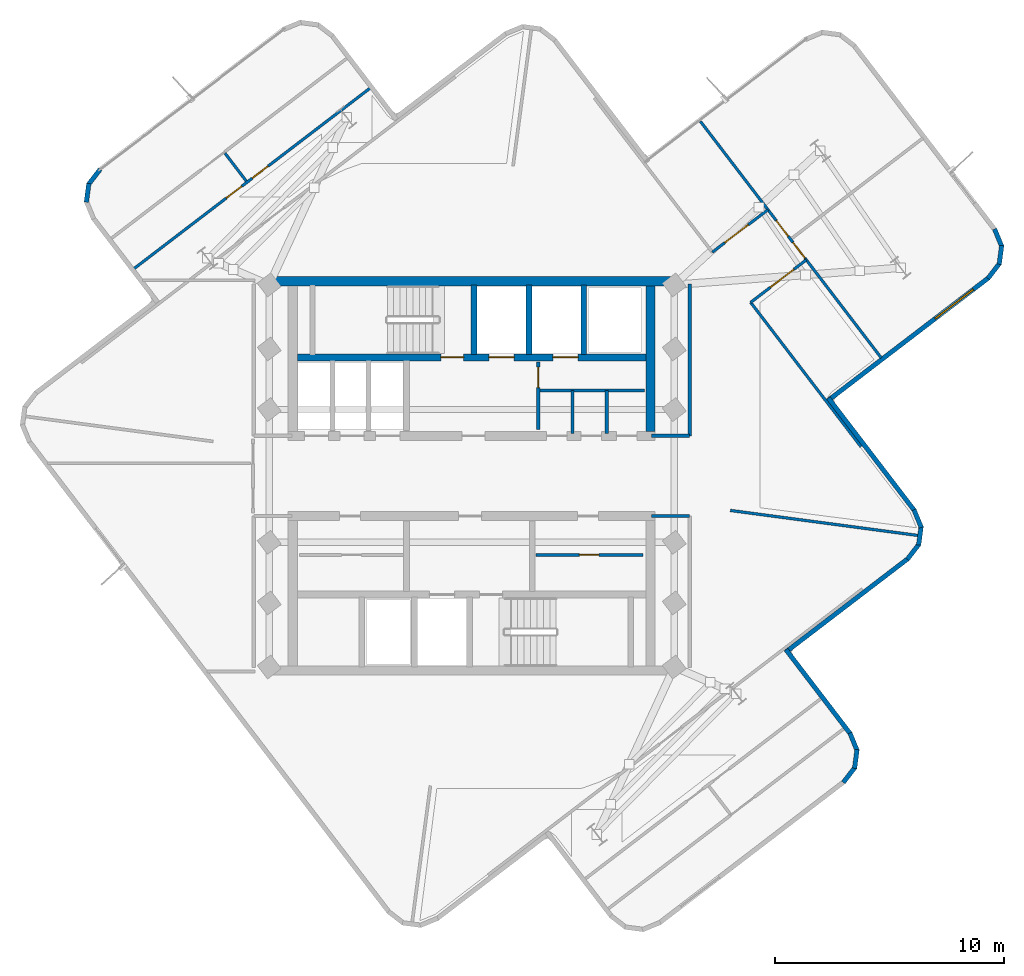
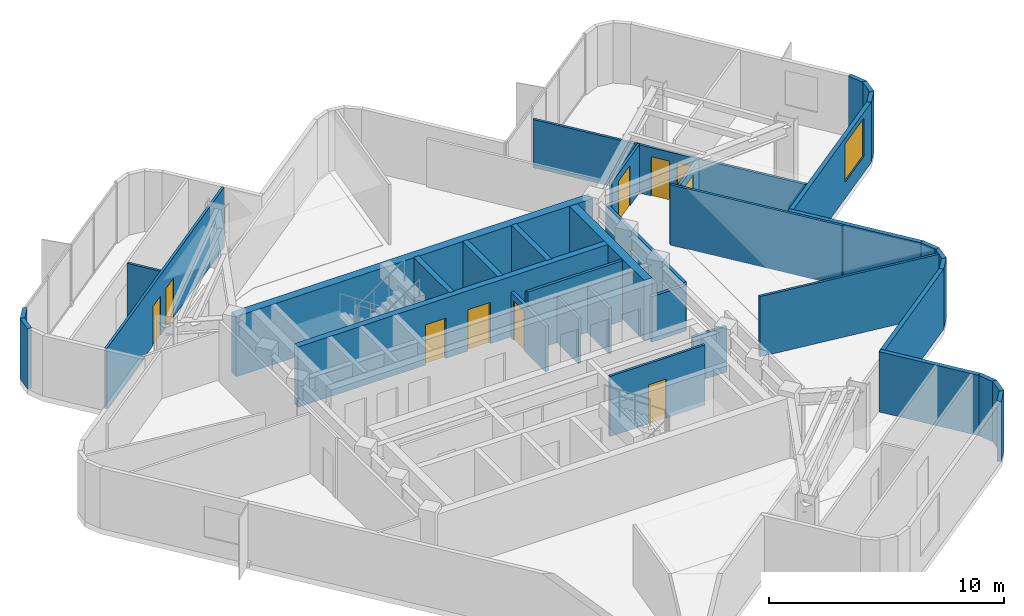
# One storey, part 5 of 8: 36 walls, 11 doors, 1 window, 12 openings.
"""IFC4 building model written with IfcOpenShell, lengths in metres."""

from ifc_helpers import new_model, si_unit, direction, frame, frame_2d, origin, place, context, subcontext, project, spatial, rectangle, extrude, material, layer, layer_set, type_object, element, fill, save


model = new_model("IFC4")

# Units and contexts
model_context = context("Model", 3, precision=1e-05, world=origin(), true_north=direction((0.0, 1.0)))
body_context = subcontext(model_context, "Body", "Model", "MODEL_VIEW")
ifc_project = project(units=[si_unit("LENGTHUNIT", "METRE"), si_unit("AREAUNIT", "SQUARE_METRE"), si_unit("VOLUMEUNIT", "CUBIC_METRE"), si_unit("PLANEANGLEUNIT", "RADIAN"), si_unit("MASSUNIT", "GRAM", prefix="KILO")], contexts=[model_context])

# Site, building, storey
site_placement = place(None, origin())
site = spatial("IfcSite", under=ifc_project, at=site_placement, CompositionType="ELEMENT")
building_placement = place(site_placement, origin())
building = spatial("IfcBuilding", under=site, at=building_placement, Name="Solmarez Civic Tower", CompositionType="ELEMENT")
storey_placement = place(building_placement, frame((0.0, 0.0, 232.56005859375)))
storey = spatial("IfcBuildingStorey", under=building, at=storey_placement, Name="L62", CompositionType="ELEMENT", Elevation=232.56005859375)

# Walls
ifc_material_1 = material(Name="Concrete C50/60", Category="concrete")
ifc_layer_1 = layer(ifc_material_1, 0.39990234375)
ifc_layer_set_1 = layer_set([ifc_layer_1], Name="Concrete C50/60")
wall_type_1 = type_object("IfcWallType", Name="WALL-CORE-400", PredefinedType="SHEAR", material=ifc_layer_set_1)
wall_1_placement = place(storey_placement, frame((-8.780029296875, 8.510009765625, 0.0), z_axis=(0.0, 0.0, 1.0), x_axis=(1.0, 0.0, 0.0)))
element("IfcWall", 1, at=wall_1_placement, inside=storey, type_object=wall_type_1, Name="L62 Split-Core Structural Wall NCW-N-L62", PredefinedType="SHEAR", context=body_context, shape_type="SweptSolid", body=[
    extrude(rectangle(XDim=17.56005859375, YDim=0.39990234375, at=frame_2d((8.780029296875, 0.0))), origin(), (0.0, 0.0, 1.0), 3.139892578125),
])
wall_2_placement = place(storey_placement, frame((7.820068359375, 8.31005859375, 0.0), z_axis=(0.0, 0.0, 1.0), x_axis=(0.0, -1.0, 0.0)))
element("IfcWall", 2, at=wall_2_placement, inside=storey, type_object=wall_type_1, Name="L62 Split-Core Structural Wall NCW-E-L62", PredefinedType="SHEAR", context=body_context, shape_type="SweptSolid", body=[
    extrude(rectangle(XDim=6.360107421875, YDim=0.39990234375, at=frame_2d((3.18017578125, 0.0))), origin(), (0.0, 0.0, 1.0), 3.139892578125),
])
ifc_material_2 = material(Name="Precast concrete C40/50", Category="concrete")
ifc_layer_2 = layer(ifc_material_2, 0.199951171875)
ifc_layer_set_2 = layer_set([ifc_layer_2], Name="Precast concrete C40/50")
wall_type_2 = type_object("IfcWallType", Name="WALL-EXT-200", PredefinedType="SOLIDWALL", material=ifc_layer_set_2)
wall_3_placement = place(storey_placement, frame((-16.840087890625, 11.9609375, 0.0), z_axis=(0.0, 0.0, 1.0), x_axis=(0.131059066172, 0.991374561492, 0.0)))
element("IfcWall", 3, at=wall_3_placement, inside=storey, type_object=wall_type_2, Name="L62 Exterior Precast Wall 15", PredefinedType="SOLIDWALL", context=body_context, shape_type="SweptSolid", body=[
    extrude(rectangle(XDim=0.8251953125, YDim=0.199951171875, at=frame_2d((0.41259765625, 0.0))), origin(), (0.0, 0.0, 1.0), 3.139892578125),
])
for number, where, z_axis, x_axis, name in (
    (4, (-16.75, 12.73388671875, 0.0), (0.0, 0.0, 1.0), (0.609837482774, 0.792526494575, 0.0), "L62 Exterior Precast Wall 16"),
    (5, (22.846923828125, 10.79296875, 0.0), (0.0, 0.0, 1.0), (0.383166624649, -0.923679239647, 0.0), "L62 Exterior Precast Wall 36"),
):
    element("IfcWall", number, at=place(storey_placement, frame(where, z_axis=z_axis, x_axis=x_axis)), inside=storey, type_object=wall_type_2, Name=name, PredefinedType="SOLIDWALL", context=body_context, shape_type="SweptSolid", body=[
        extrude(rectangle(XDim=0.837890625, YDim=0.199951171875, at=frame_2d((0.4189453125, 0.0))), origin(), (0.0, 0.0, 1.0), 3.139892578125),
    ])
wall_4_placement = place(storey_placement, frame((23.160888671875, 10.06689453125, 0.0), z_axis=(0.0, 0.0, 1.0), x_axis=(-0.131969898809, -0.991253724234, 0.0)))
element("IfcWall", 6, at=wall_4_placement, inside=storey, type_object=wall_type_2, Name="L62 Exterior Precast Wall 37", PredefinedType="SOLIDWALL", context=body_context, shape_type="SweptSolid", body=[
    extrude(rectangle(XDim=0.8251953125, YDim=0.199951171875, at=frame_2d((0.41259765625, 0.0))), origin(), (0.0, 0.0, 1.0), 3.139892578125),
])
wall_5_placement = place(storey_placement, frame((23.070068359375, 9.2939453125, 0.0), z_axis=(0.0, 0.0, 1.0), x_axis=(-0.609274558022, -0.792959338773, 0.0)))
element("IfcWall", 7, at=wall_5_placement, inside=storey, type_object=wall_type_2, Name="L62 Exterior Precast Wall 38", PredefinedType="SOLIDWALL", context=body_context, shape_type="SweptSolid", body=[
    extrude(rectangle(XDim=0.838623046875, YDim=0.199951171875, at=frame_2d((0.41943359375, 0.0))), origin(), (0.0, 0.0, 1.0), 3.139892578125),
])

# Wall, opening, window
wall_6_placement = place(storey_placement, frame((22.593994140625, 8.6640625, 0.0), z_axis=(0.0, 0.0, 1.0), x_axis=(-0.794406416539, -0.607386569954, 0.0)))
wall_6 = element("IfcWall", 8, at=wall_6_placement, inside=storey, type_object=wall_type_2, Name="L62 Exterior Precast Wall 39", PredefinedType="SOLIDWALL", context=body_context, shape_type="SweptSolid", body=[
    extrude(rectangle(XDim=8.843017578125, YDim=0.199951171875, at=frame_2d((4.42138671875, 0.0))), origin(), (0.0, 0.0, 1.0), 3.139892578125),
])
opening_1_placement = place(wall_6_placement, frame((0.85009765625, 0.0, 0.85009765625)))
opening_1 = element("IfcOpeningElement", 9, at=opening_1_placement, cuts=wall_6, Name="Opening W-03", PredefinedType="OPENING", context=body_context, shape_type="SweptSolid", body=[
    extrude(rectangle(XDim=2.10009765625, YDim=2.0, at=frame_2d((1.050048828125, 1.0))), frame((0.0, 0.10986328125, 0.0), z_axis=(0.0, -1.0, 0.0), x_axis=(1.0, 0.0, 0.0)), (0.0, 0.0, 1.0), 0.219970703125),
])
ifc_material_3 = material(Name="Solar Control Bronze-Tinted Insulating Glass", Category="glass")
window_type = type_object("IfcWindowType", Name="WIN-2100X2000", PartitioningType="SINGLE_PANEL", PredefinedType="WINDOW", material=ifc_material_3)
window_placement = place(opening_1_placement, origin())
window = element("IfcWindow", 10, at=window_placement, inside=storey, type_object=window_type, Name="L62 Exterior Facade Window 39", OverallHeight=2.0, OverallWidth=2.10009765625, PartitioningType="SINGLE_PANEL", PredefinedType="WINDOW", context=body_context, shape_type="SweptSolid", body=[
    extrude(rectangle(XDim=2.10009765625, YDim=2.0, at=frame_2d((1.050048828125, 1.0))), frame((0.0, 0.030029296875, 0.0), z_axis=(0.0, -1.0, 0.0), x_axis=(1.0, 0.0, 0.0)), (0.0, 0.0, 1.0), 0.06005859375),
])
fill(opening_1, window)

# Walls
wall_7_placement = place(storey_placement, frame((15.583984375, 3.406005859375, 0.0), z_axis=(0.0, 0.0, 1.0), x_axis=(0.60748663121, -0.794329901805, 0.0)))
element("IfcWall", 11, at=wall_7_placement, inside=storey, type_object=wall_type_2, Name="L62 Exterior Precast Wall 42", PredefinedType="SOLIDWALL", context=body_context, shape_type="SweptSolid", body=[
    extrude(rectangle(XDim=6.20263671875, YDim=0.199951171875, at=frame_2d((3.101318359375, 0.0))), origin(), (0.0, 0.0, 1.0), 3.139892578125),
])
wall_8_placement = place(storey_placement, frame((19.326904296875, -1.47802734375, 0.0), z_axis=(0.0, 0.0, 1.0), x_axis=(0.382171551451, -0.924091394431, 0.0)))
element("IfcWall", 12, at=wall_8_placement, inside=storey, type_object=wall_type_2, Name="L62 Exterior Precast Wall 43", PredefinedType="SOLIDWALL", context=body_context, shape_type="SweptSolid", body=[
    extrude(rectangle(XDim=0.83740234375, YDim=0.199951171875, at=frame_2d((0.418701171875, 0.0))), origin(), (0.0, 0.0, 1.0), 3.139892578125),
])
wall_9_placement = place(storey_placement, frame((19.639892578125, -2.2041015625, 0.0), z_axis=(0.0, 0.0, 1.0), x_axis=(-0.130806653943, -0.99140789753, 0.0)))
element("IfcWall", 13, at=wall_9_placement, inside=storey, type_object=wall_type_2, Name="L62 Exterior Precast Wall 44", PredefinedType="SOLIDWALL", context=body_context, shape_type="SweptSolid", body=[
    extrude(rectangle(XDim=0.824951171875, YDim=0.199951171875, at=frame_2d((0.41259765625, 0.0))), origin(), (0.0, 0.0, 1.0), 3.139892578125),
])
wall_10_placement = place(storey_placement, frame((19.550048828125, -2.97705078125, 0.0), z_axis=(0.0, 0.0, 1.0), x_axis=(-0.609274558022, -0.792959338773, 0.0)))
element("IfcWall", 14, at=wall_10_placement, inside=storey, type_object=wall_type_2, Name="L62 Exterior Precast Wall 45", PredefinedType="SOLIDWALL", context=body_context, shape_type="SweptSolid", body=[
    extrude(rectangle(XDim=0.838623046875, YDim=0.199951171875, at=frame_2d((0.41943359375, 0.0))), origin(), (0.0, 0.0, 1.0), 3.139892578125),
])
wall_11_placement = place(storey_placement, frame((19.073974609375, -3.60693359375, 0.0), z_axis=(0.0, 0.0, 1.0), x_axis=(-0.794465731546, -0.607308983466, 0.0)))
element("IfcWall", 15, at=wall_11_placement, inside=storey, type_object=wall_type_2, Name="L62 Exterior Precast Wall 46", PredefinedType="SOLIDWALL", context=body_context, shape_type="SweptSolid", body=[
    extrude(rectangle(XDim=6.742919921875, YDim=0.199951171875, at=frame_2d((3.37158203125, 0.0))), origin(), (0.0, 0.0, 1.0), 3.139892578125),
])
wall_12_placement = place(storey_placement, frame((13.73193359375, -7.589111328125, 0.0), z_axis=(0.0, 0.0, 1.0), x_axis=(0.607428636372, -0.794374251669, 0.0)))
element("IfcWall", 16, at=wall_12_placement, inside=storey, type_object=wall_type_2, Name="L62 Exterior Precast Wall 49", PredefinedType="SOLIDWALL", context=body_context, shape_type="SweptSolid", body=[
    extrude(rectangle(XDim=4.642578125, YDim=0.199951171875, at=frame_2d((2.3212890625, 0.0))), origin(), (0.0, 0.0, 1.0), 3.139892578125),
])
wall_13_placement = place(storey_placement, frame((16.527099609375, -11.23388671875, 0.0), z_axis=(0.0, 0.0, 1.0), x_axis=(0.381408676087, -0.924406524104, 0.0)))
element("IfcWall", 17, at=wall_13_placement, inside=storey, type_object=wall_type_2, Name="L62 Exterior Precast Wall 50", PredefinedType="SOLIDWALL", context=body_context, shape_type="SweptSolid", body=[
    extrude(rectangle(XDim=0.838623046875, YDim=0.199951171875, at=frame_2d((0.41943359375, 0.0))), origin(), (0.0, 0.0, 1.0), 3.139892578125),
])
wall_14_placement = place(storey_placement, frame((16.840087890625, -11.9609375, 0.0), z_axis=(0.0, 0.0, 1.0), x_axis=(-0.131059066172, -0.991374561492, 0.0)))
element("IfcWall", 18, at=wall_14_placement, inside=storey, type_object=wall_type_2, Name="L62 Exterior Precast Wall 51", PredefinedType="SOLIDWALL", context=body_context, shape_type="SweptSolid", body=[
    extrude(rectangle(XDim=0.8251953125, YDim=0.199951171875, at=frame_2d((0.41259765625, 0.0))), origin(), (0.0, 0.0, 1.0), 3.139892578125),
])
wall_15_placement = place(storey_placement, frame((16.75, -12.73388671875, 0.0), z_axis=(0.0, 0.0, 1.0), x_axis=(-0.609837482774, -0.792526494575, 0.0)))
element("IfcWall", 19, at=wall_15_placement, inside=storey, type_object=wall_type_2, Name="L62 Exterior Precast Wall 52", PredefinedType="SOLIDWALL", context=body_context, shape_type="SweptSolid", body=[
    extrude(rectangle(XDim=0.837890625, YDim=0.199951171875, at=frame_2d((0.4189453125, 0.0))), origin(), (0.0, 0.0, 1.0), 3.139892578125),
])
ifc_material_4 = material(Name="Gypsum Board Acoustic Steel-Stud Partition", Category="steel")
ifc_layer_3 = layer(ifc_material_4, 0.14990234375)
ifc_layer_set_3 = layer_set([ifc_layer_3], Name="Gypsum Board Acoustic Steel-Stud Partition")
wall_type_3 = type_object("IfcWallType", Name="WALL-INT-FIRE-150", PredefinedType="PARTITIONING", material=ifc_layer_set_3)
wall_16_placement = place(storey_placement, frame((9.52001953125, 1.75, 0.0), z_axis=(0.0, 0.0, 1.0), x_axis=(0.0, 1.0, 0.0)))
element("IfcWall", 20, at=wall_16_placement, inside=storey, type_object=wall_type_3, Name="L62 Interior Partition CHW-L62-EN1", PredefinedType="PARTITIONING", context=body_context, shape_type="SweptSolid", body=[
    extrude(rectangle(XDim=6.6298828125, YDim=0.14990234375, at=frame_2d((3.31494140625, 0.0))), origin(), (0.0, 0.0, 1.0), 2.510009765625),
])
for number, where, z_axis, x_axis, name in (
    (21, (7.85009765625, 1.75, 0.0), (0.0, 0.0, 1.0), (1.0, 0.0, 0.0), "L62 Interior Partition CHW-L62-EN3"),
    (22, (7.85009765625, -1.75, 0.0), (0.0, 0.0, 1.0), (1.0, 0.0, 0.0), "L62 Interior Partition CHW-L62-ES3"),
):
    element("IfcWall", number, at=place(storey_placement, frame(where, z_axis=z_axis, x_axis=x_axis)), inside=storey, type_object=wall_type_3, Name=name, PredefinedType="PARTITIONING", context=body_context, shape_type="SweptSolid", body=[
        extrude(rectangle(XDim=1.669921875, YDim=0.14990234375, at=frame_2d((0.8349609375, 0.0))), origin(), (0.0, 0.0, 1.0), 2.369873046875),
    ])

# Wall, opening, door
ifc_layer_4 = layer(ifc_material_4, 0.1201171875)
ifc_layer_set_4 = layer_set([ifc_layer_4], Name="Gypsum Board Acoustic Steel-Stud Partition")
wall_type_4 = type_object("IfcWallType", Name="WALL-INT-PART-120", PredefinedType="PARTITIONING", material=ifc_layer_set_4)
wall_17_placement = place(storey_placement, frame((2.800048828125, -3.449951171875, 0.0), z_axis=(0.0, 0.0, 1.0), x_axis=(1.0, 0.0, 0.0)))
wall_17 = element("IfcWall", 23, at=wall_17_placement, inside=storey, type_object=wall_type_4, Name="L62 Interior Partition PT-FPLL-L62", PredefinedType="PARTITIONING", context=body_context, shape_type="SweptSolid", body=[
    extrude(rectangle(XDim=4.679931640625, YDim=0.1201171875, at=frame_2d((2.33984375, 0.0))), origin(), (0.0, 0.0, 1.0), 3.139892578125),
])
opening_2_placement = place(wall_17_placement, frame((1.89990234375, 0.0, 0.0)))
opening_2 = element("IfcOpeningElement", 24, at=opening_2_placement, cuts=wall_17, Name="Opening D-14", PredefinedType="OPENING", context=body_context, shape_type="SweptSolid", body=[
    extrude(rectangle(XDim=0.860107421875, YDim=2.0400390625, at=frame_2d((0.43017578125, 1.02001953125))), frame((0.0, 0.070068359375, 0.0), z_axis=(0.0, -1.0, 0.0), x_axis=(1.0, 0.0, 0.0)), (0.0, 0.0, 1.0), 0.14013671875),
])
ifc_material_5 = material(Name="Timber Storage and Pantry Door", Category="wood")
door_type_1 = type_object("IfcDoorType", Name="DOOR-INT-850", OperationType="NOTDEFINED", PredefinedType="DOOR", material=ifc_material_5)
door_1_placement = place(opening_2_placement, origin())
door_1 = element("IfcDoor", 25, at=door_1_placement, inside=storey, type_object=door_type_1, Name="L62 Records Filing Room Door", OperationType="SINGLE_SWING_LEFT", OverallHeight=2.0400390625, OverallWidth=0.860107421875, PredefinedType="DOOR", context=body_context, shape_type="SweptSolid", body=[
    extrude(rectangle(XDim=0.860107421875, YDim=2.0400390625, at=frame_2d((0.43017578125, 1.02001953125))), frame((0.0, 0.02490234375, 0.0), z_axis=(0.0, -1.0, 0.0), x_axis=(1.0, 0.0, 0.0)), (0.0, 0.0, 1.0), 0.050048828125),
])
fill(opening_2, door_1)

# Walls
wall_18_placement = place(storey_placement, frame((11.300048828125, -1.508056640625, 0.0), z_axis=(0.0, 0.0, 1.0), x_axis=(0.99121735818, -0.132242764804, 0.0)))
element("IfcWall", 26, at=wall_18_placement, inside=storey, type_object=wall_type_4, Name="L62 Interior Partition PT-L62-QDIV-4", PredefinedType="PARTITIONING", context=body_context, shape_type="SweptSolid", body=[
    extrude(rectangle(XDim=8.294677734375, YDim=0.1201171875, at=frame_2d((4.1474609375, 0.0))), origin(), (0.0, 0.0, 1.0), 3.139892578125),
])
wall_19_placement = place(storey_placement, frame((17.011962890625, 1.27490234375, 0.0), z_axis=(0.0, 0.0, 1.0), x_axis=(-0.60728139249, 0.794486822003, 0.0)))
element("IfcWall", 27, at=wall_19_placement, inside=storey, type_object=wall_type_4, Name="L62 Interior Partition PT-L62-E-EFR", PredefinedType="PARTITIONING", context=body_context, shape_type="SweptSolid", body=[
    extrude(rectangle(XDim=7.949951171875, YDim=0.1201171875, at=frame_2d((3.97509765625, 0.0))), origin(), (0.0, 0.0, 1.0), 3.139892578125),
])

# Wall, opening, door
wall_20_placement = place(storey_placement, frame((12.945068359375, 11.634033203125, 0.0), z_axis=(0.0, 0.0, 1.0), x_axis=(-0.794509541066, -0.607251668714, 0.0)))
wall_20 = element("IfcWall", 28, at=wall_20_placement, inside=storey, type_object=wall_type_4, Name="L62 Interior Partition PT-L62-E-SL", PredefinedType="PARTITIONING", context=body_context, shape_type="SweptSolid", body=[
    extrude(rectangle(XDim=3.06005859375, YDim=0.1201171875, at=frame_2d((1.530029296875, 0.0))), origin(), (0.0, 0.0, 1.0), 2.510009765625),
])
opening_3_placement = place(wall_20_placement, frame((1.080078125, 0.0, 0.0)))
opening_3 = element("IfcOpeningElement", 29, at=opening_3_placement, cuts=wall_20, Name="Opening D-15", PredefinedType="OPENING", context=body_context, shape_type="SweptSolid", body=[
    extrude(rectangle(XDim=1.300048828125, YDim=2.10009765625, at=frame_2d((0.64990234375, 1.050048828125))), frame((0.0, 0.070068359375, 0.0), z_axis=(0.0, -1.0, 0.0), x_axis=(1.0, 0.0, 0.0)), (0.0, 0.0, 1.0), 0.14013671875),
])
ifc_material_6 = material(Name="Tribunal Hearing Conference Door", Category="wood")
door_type_2 = type_object("IfcDoorType", Name="DOOR-INT-1300", OperationType="NOTDEFINED", PredefinedType="DOOR", material=ifc_material_6)
door_2_placement = place(opening_3_placement, origin())
door_2 = element("IfcDoor", 30, at=door_2_placement, inside=storey, type_object=door_type_2, Name="L62 Municipal Law Library East Door", OperationType="SINGLE_SWING_LEFT", OverallHeight=2.10009765625, OverallWidth=1.300048828125, PredefinedType="DOOR", context=body_context, shape_type="SweptSolid", body=[
    extrude(rectangle(XDim=1.300048828125, YDim=2.10009765625, at=frame_2d((0.64990234375, 1.050048828125))), frame((0.0, 0.02490234375, 0.0), z_axis=(0.0, -1.0, 0.0), x_axis=(1.0, 0.0, 0.0)), (0.0, 0.0, 1.0), 0.050048828125),
])
fill(opening_3, door_2)

wall_21_placement = place(storey_placement, frame((12.18994140625, 7.5830078125, 0.0), z_axis=(0.0, 0.0, 1.0), x_axis=(0.794394061013, 0.607402729519, 0.0)))
wall_21 = element("IfcWall", 31, at=wall_21_placement, inside=storey, type_object=wall_type_4, Name="L62 Interior Partition PT-L62-E-SR", PredefinedType="PARTITIONING", context=body_context, shape_type="SweptSolid", body=[
    extrude(rectangle(XDim=3.060302734375, YDim=0.1201171875, at=frame_2d((1.5302734375, 0.0))), origin(), (0.0, 0.0, 1.0), 2.510009765625),
])
opening_4_placement = place(wall_21_placement, frame((1.080078125, 0.0, 0.0)))
opening_4 = element("IfcOpeningElement", 32, at=opening_4_placement, cuts=wall_21, Name="Opening D-15", PredefinedType="OPENING", context=body_context, shape_type="SweptSolid", body=[
    extrude(rectangle(XDim=1.300048828125, YDim=2.10009765625, at=frame_2d((0.64990234375, 1.050048828125))), frame((0.0, 0.070068359375, 0.0), z_axis=(0.0, -1.0, 0.0), x_axis=(1.0, 0.0, 0.0)), (0.0, 0.0, 1.0), 0.14013671875),
])
door_3_placement = place(opening_4_placement, origin())
door_3 = element("IfcDoor", 33, at=door_3_placement, inside=storey, type_object=door_type_2, Name="L62 Public Reading Room East Door", OperationType="SINGLE_SWING_RIGHT", OverallHeight=2.10009765625, OverallWidth=1.300048828125, PredefinedType="DOOR", context=body_context, shape_type="SweptSolid", body=[
    extrude(rectangle(XDim=1.300048828125, YDim=2.10009765625, at=frame_2d((0.64990234375, 1.050048828125))), frame((0.0, 0.02490234375, 0.0), z_axis=(0.0, -1.0, 0.0), x_axis=(1.0, 0.0, 0.0)), (0.0, 0.0, 1.0), 0.050048828125),
])
fill(opening_4, door_3)

# Wall, openings, doors
wall_22_placement = place(storey_placement, frame((9.99609375, 15.490966796875, 0.0), z_axis=(0.0, 0.0, 1.0), x_axis=(0.607384628916, -0.794407900613, 0.0)))
wall_22 = element("IfcWall", 34, at=wall_22_placement, inside=storey, type_object=wall_type_4, Name="L62 Interior Partition PT-L62-E-END", PredefinedType="PARTITIONING", context=body_context, shape_type="SweptSolid", body=[
    extrude(rectangle(XDim=13.009521484375, YDim=0.1201171875, at=frame_2d((6.5048828125, 0.0))), origin(), (0.0, 0.0, 1.0), 2.510009765625),
])
opening_5_placement = place(wall_22_placement, frame((6.655029296875, 0.0, 0.0)))
opening_5 = element("IfcOpeningElement", 35, at=opening_5_placement, cuts=wall_22, Name="Opening D-14", PredefinedType="OPENING", context=body_context, shape_type="SweptSolid", body=[
    extrude(rectangle(XDim=0.860107421875, YDim=2.0400390625, at=frame_2d((0.43017578125, 1.02001953125))), frame((0.0, 0.070068359375, 0.0), z_axis=(0.0, -1.0, 0.0), x_axis=(1.0, 0.0, 0.0)), (0.0, 0.0, 1.0), 0.14013671875),
])
opening_6_placement = place(wall_22_placement, frame((5.455078125, 0.0, 0.0)))
opening_6 = element("IfcOpeningElement", 36, at=opening_6_placement, cuts=wall_22, Name="Opening D-14", PredefinedType="OPENING", context=body_context, shape_type="SweptSolid", body=[
    extrude(rectangle(XDim=0.860107421875, YDim=2.0400390625, at=frame_2d((0.43017578125, 1.02001953125))), frame((0.0, 0.070068359375, 0.0), z_axis=(0.0, -1.0, 0.0), x_axis=(1.0, 0.0, 0.0)), (0.0, 0.0, 1.0), 0.14013671875),
])
door_4_placement = place(opening_5_placement, origin())
door_4 = element("IfcDoor", 37, at=door_4_placement, inside=storey, type_object=door_type_1, Name="L62 Policy Administration Office Sixth East Door", OperationType="SINGLE_SWING_RIGHT", OverallHeight=2.0400390625, OverallWidth=0.860107421875, PredefinedType="DOOR", context=body_context, shape_type="SweptSolid", body=[
    extrude(rectangle(XDim=0.860107421875, YDim=2.0400390625, at=frame_2d((0.43017578125, 1.02001953125))), frame((0.0, 0.02490234375, 0.0), z_axis=(0.0, -1.0, 0.0), x_axis=(1.0, 0.0, 0.0)), (0.0, 0.0, 1.0), 0.050048828125),
])
fill(opening_5, door_4)
door_5_placement = place(opening_6_placement, origin())
door_5 = element("IfcDoor", 38, at=door_5_placement, inside=storey, type_object=door_type_1, Name="L62 Legal Study Room Fifth East Door", OperationType="SINGLE_SWING_LEFT", OverallHeight=2.0400390625, OverallWidth=0.860107421875, PredefinedType="DOOR", context=body_context, shape_type="SweptSolid", body=[
    extrude(rectangle(XDim=0.860107421875, YDim=2.0400390625, at=frame_2d((0.43017578125, 1.02001953125))), frame((0.0, 0.02490234375, 0.0), z_axis=(0.0, -1.0, 0.0), x_axis=(1.0, 0.0, 0.0)), (0.0, 0.0, 1.0), 0.050048828125),
])
fill(opening_6, door_5)

# Wall
wall_23_placement = place(storey_placement, frame((-9.85205078125, 12.885009765625, 0.0), z_axis=(0.0, 0.0, 1.0), x_axis=(-0.607047349334, 0.794665662821, 0.0)))
element("IfcWall", 39, at=wall_23_placement, inside=storey, type_object=wall_type_4, Name="L62 Interior Partition PT-L62-N-MM", PredefinedType="PARTITIONING", context=body_context, shape_type="SweptSolid", body=[
    extrude(rectangle(XDim=1.5302734375, YDim=0.1201171875, at=frame_2d((0.76513671875, 0.0))), origin(), (0.0, 0.0, 1.0), 3.139892578125),
])

# Wall, openings, doors
wall_24_placement = place(storey_placement, frame((-4.43310546875, 16.951904296875, 0.0), z_axis=(0.0, 0.0, 1.0), x_axis=(-0.794407900613, -0.607384628916, 0.0)))
wall_24 = element("IfcWall", 40, at=wall_24_placement, inside=storey, type_object=wall_type_4, Name="L62 Interior Partition PT-L62-N-S1", PredefinedType="PARTITIONING", context=body_context, shape_type="SweptSolid", body=[
    extrude(rectangle(XDim=13.009521484375, YDim=0.1201171875, at=frame_2d((6.5048828125, 0.0))), origin(), (0.0, 0.0, 1.0), 3.139892578125),
])
opening_7_placement = place(wall_24_placement, frame((5.625, 0.0, 0.0)))
opening_7 = element("IfcOpeningElement", 41, at=opening_7_placement, cuts=wall_24, Name="Opening D-14", PredefinedType="OPENING", context=body_context, shape_type="SweptSolid", body=[
    extrude(rectangle(XDim=0.860107421875, YDim=2.0400390625, at=frame_2d((0.43017578125, 1.02001953125))), frame((0.0, 0.070068359375, 0.0), z_axis=(0.0, -1.0, 0.0), x_axis=(1.0, 0.0, 0.0)), (0.0, 0.0, 1.0), 0.14013671875),
])
opening_8_placement = place(wall_24_placement, frame((7.06494140625, 0.0, 0.0)))
opening_8 = element("IfcOpeningElement", 42, at=opening_8_placement, cuts=wall_24, Name="Opening D-14", PredefinedType="OPENING", context=body_context, shape_type="SweptSolid", body=[
    extrude(rectangle(XDim=0.860107421875, YDim=2.0400390625, at=frame_2d((0.43017578125, 1.02001953125))), frame((0.0, 0.070068359375, 0.0), z_axis=(0.0, -1.0, 0.0), x_axis=(1.0, 0.0, 0.0)), (0.0, 0.0, 1.0), 0.14013671875),
])
door_6_placement = place(opening_7_placement, origin())
door_6 = element("IfcDoor", 43, at=door_6_placement, inside=storey, type_object=door_type_1, Name="L62 Policy Administration Office Third North Door", OperationType="SINGLE_SWING_RIGHT", OverallHeight=2.0400390625, OverallWidth=0.860107421875, PredefinedType="DOOR", context=body_context, shape_type="SweptSolid", body=[
    extrude(rectangle(XDim=0.860107421875, YDim=2.0400390625, at=frame_2d((0.43017578125, 1.02001953125))), frame((0.0, 0.02490234375, 0.0), z_axis=(0.0, -1.0, 0.0), x_axis=(1.0, 0.0, 0.0)), (0.0, 0.0, 1.0), 0.050048828125),
])
fill(opening_7, door_6)
door_7_placement = place(opening_8_placement, origin())
door_7 = element("IfcDoor", 44, at=door_7_placement, inside=storey, type_object=door_type_1, Name="L62 Legal Study Room Second North Door", OperationType="SINGLE_SWING_LEFT", OverallHeight=2.0400390625, OverallWidth=0.860107421875, PredefinedType="DOOR", context=body_context, shape_type="SweptSolid", body=[
    extrude(rectangle(XDim=0.860107421875, YDim=2.0400390625, at=frame_2d((0.43017578125, 1.02001953125))), frame((0.0, 0.02490234375, 0.0), z_axis=(0.0, -1.0, 0.0), x_axis=(1.0, 0.0, 0.0)), (0.0, 0.0, 1.0), 0.050048828125),
])
fill(opening_8, door_7)

# Wall, opening, door
ifc_layer_5 = layer(ifc_material_4, 0.159912109375)
ifc_layer_set_5 = layer_set([ifc_layer_5], Name="Gypsum Board Acoustic Steel-Stud Partition")
wall_type_5 = type_object("IfcWallType", Name="WALL-INT-SHAFT-160", PredefinedType="PARTITIONING", material=ifc_layer_set_5)
wall_25_placement = place(storey_placement, frame((2.89990234375, 2.0400390625, 0.0), z_axis=(0.0, 0.0, 1.0), x_axis=(0.0, 1.0, 0.0)))
wall_25 = element("IfcWall", 45, at=wall_25_placement, inside=storey, type_object=wall_type_5, Name="L62 Interior Partition SHW-NL2-L62", PredefinedType="PARTITIONING", context=body_context, shape_type="SweptSolid", body=[
    extrude(rectangle(XDim=2.93994140625, YDim=0.159912109375, at=frame_2d((1.469970703125, 0.0))), origin(), (0.0, 0.0, 1.0), 2.369873046875),
])
opening_9_placement = place(wall_25_placement, frame((1.820068359375, 0.0, 0.0)))
opening_9 = element("IfcOpeningElement", 46, at=opening_9_placement, cuts=wall_25, Name="Opening D-09", PredefinedType="OPENING", context=body_context, shape_type="SweptSolid", body=[
    extrude(rectangle(XDim=0.89990234375, YDim=2.06005859375, at=frame_2d((0.449951171875, 1.030029296875))), frame((0.0, 0.08984375, 0.0), z_axis=(0.0, -1.0, 0.0), x_axis=(1.0, 0.0, 0.0)), (0.0, 0.0, 1.0), 0.179931640625),
])
ifc_material_7 = material(Name="Fire-Rated Service Core Door", Category="wood")
door_type_3 = type_object("IfcDoorType", Name="DOOR-FD60-900", OperationType="NOTDEFINED", PredefinedType="DOOR", material=ifc_material_7)
door_8_placement = place(opening_9_placement, origin())
door_8 = element("IfcDoor", 47, at=door_8_placement, inside=storey, type_object=door_type_3, Name="L62 Service Lift Lobby Door", OperationType="SINGLE_SWING_LEFT", OverallHeight=2.06005859375, OverallWidth=0.89990234375, PredefinedType="DOOR", context=body_context, shape_type="SweptSolid", body=[
    extrude(rectangle(XDim=0.89990234375, YDim=2.06005859375, at=frame_2d((0.449951171875, 1.030029296875))), frame((0.0, 0.02490234375, 0.0), z_axis=(0.0, -1.0, 0.0), x_axis=(1.0, 0.0, 0.0)), (0.0, 0.0, 1.0), 0.050048828125),
])
fill(opening_9, door_8)

# Walls
ifc_layer_6 = layer(ifc_material_4, 0.137939453125)
ifc_layer_set_6 = layer_set([ifc_layer_6], Name="Gypsum Board Acoustic Steel-Stud Partition")
wall_type_6 = type_object("IfcWallType", Name="WALL-INT-WET-140", PredefinedType="PARTITIONING", material=ifc_layer_set_6)
wall_26_placement = place(storey_placement, frame((2.89990234375, 3.739990234375, 0.0), z_axis=(0.0, 0.0, 1.0), x_axis=(1.0, 0.0, 0.0)))
element("IfcWall", 48, at=wall_26_placement, inside=storey, type_object=wall_type_6, Name="L62 Interior Partition SHW-SVH-L62", PredefinedType="PARTITIONING", context=body_context, shape_type="SweptSolid", body=[
    extrude(rectangle(XDim=4.650146484375, YDim=0.137939453125, at=frame_2d((2.3251953125, 0.0))), origin(), (0.0, 0.0, 1.0), 3.139892578125),
])
for number, where, z_axis, x_axis, name in (
    (49, (4.39990234375, 1.85009765625, 0.0), (0.0, 0.0, 1.0), (0.0, 1.0, 0.0), "L62 Interior Partition PT-NCSV1-L62"),
    (50, (5.89990234375, 1.85009765625, 0.0), (0.0, 0.0, 1.0), (0.0, 1.0, 0.0), "L62 Interior Partition PT-NCSV2-L62"),
):
    element("IfcWall", number, at=place(storey_placement, frame(where, z_axis=z_axis, x_axis=x_axis)), inside=storey, type_object=wall_type_6, Name=name, PredefinedType="PARTITIONING", context=body_context, shape_type="SweptSolid", body=[
        extrude(rectangle(XDim=1.889892578125, YDim=0.137939453125, at=frame_2d((0.94482421875, 0.0))), origin(), (0.0, 0.0, 1.0), 2.369873046875),
    ])

# Wall, openings, doors
ifc_layer_7 = layer(ifc_material_1, 0.300048828125)
ifc_layer_set_7 = layer_set([ifc_layer_7], Name="Concrete C50/60")
wall_type_7 = type_object("IfcWallType", Name="WALL-STR-300", PredefinedType="SOLIDWALL", material=ifc_layer_set_7)
wall_27_placement = place(storey_placement, frame((7.6201171875, 5.179931640625, 0.0), z_axis=(0.0, 0.0, 1.0), x_axis=(-1.0, 0.0, 0.0)))
wall_27 = element("IfcWall", 51, at=wall_27_placement, inside=storey, type_object=wall_type_7, Name="L62 Split-Core Structural Wall NCW-M-L62", PredefinedType="SOLIDWALL", context=body_context, shape_type="SweptSolid", body=[
    extrude(rectangle(XDim=15.240234375, YDim=0.300048828125, at=frame_2d((7.6201171875, 0.0))), origin(), (0.0, 0.0, 1.0), 3.139892578125),
])
opening_10_placement = place(wall_27_placement, frame((5.77001953125, 0.0, 0.0)))
opening_10 = element("IfcOpeningElement", 52, at=opening_10_placement, cuts=wall_27, Name="Opening LD-02", PredefinedType="OPENING", context=body_context, shape_type="SweptSolid", body=[
    extrude(rectangle(XDim=1.10009765625, YDim=2.14990234375, at=frame_2d((0.550048828125, 1.074951171875))), frame((0.0, 0.159912109375, 0.0), z_axis=(0.0, -1.0, 0.0), x_axis=(1.0, 0.0, 0.0)), (0.0, 0.0, 1.0), 0.320068359375),
])
opening_11_placement = place(wall_27_placement, frame((2.969970703125, 0.0, 0.0)))
opening_11 = element("IfcOpeningElement", 53, at=opening_11_placement, cuts=wall_27, Name="Opening LD-03", PredefinedType="OPENING", context=body_context, shape_type="SweptSolid", body=[
    extrude(rectangle(XDim=1.10009765625, YDim=2.14990234375, at=frame_2d((0.550048828125, 1.074951171875))), frame((0.0, 0.159912109375, 0.0), z_axis=(0.0, -1.0, 0.0), x_axis=(1.0, 0.0, 0.0)), (0.0, 0.0, 1.0), 0.320068359375),
])
opening_12_placement = place(wall_27_placement, frame((7.969970703125, 0.0, 0.0)))
opening_12 = element("IfcOpeningElement", 54, at=opening_12_placement, cuts=wall_27, Name="Opening D-05", PredefinedType="OPENING", context=body_context, shape_type="SweptSolid", body=[
    extrude(rectangle(XDim=1.0, YDim=2.10009765625, at=frame_2d((0.5, 1.050048828125))), frame((0.0, 0.159912109375, 0.0), z_axis=(0.0, -1.0, 0.0), x_axis=(1.0, 0.0, 0.0)), (0.0, 0.0, 1.0), 0.320068359375),
])
ifc_material_8 = material(Name="Fire-Rated Stairwell Exit Door", Category="wood")
door_type_4 = type_object("IfcDoorType", Name="DOOR-FD90-1000", OperationType="NOTDEFINED", PredefinedType="DOOR", material=ifc_material_8)
door_9_placement = place(opening_12_placement, origin())
door_9 = element("IfcDoor", 55, at=door_9_placement, inside=storey, type_object=door_type_4, Name="L62 North Exit Stair Door ST-1", OperationType="SINGLE_SWING_LEFT", OverallHeight=2.10009765625, OverallWidth=1.0, PredefinedType="DOOR", context=body_context, shape_type="SweptSolid", body=[
    extrude(rectangle(XDim=1.0, YDim=2.10009765625, at=frame_2d((0.5, 1.050048828125))), frame((0.0, 0.02490234375, 0.0), z_axis=(0.0, -1.0, 0.0), x_axis=(1.0, 0.0, 0.0)), (0.0, 0.0, 1.0), 0.050048828125),
])
fill(opening_12, door_9)
ifc_material_9 = material(Name="Stainless Firefighting Lift Landing Sliding Door", Category="aluminium")
door_type_5 = type_object("IfcDoorType", Name="DOOR-LD-FF-1100", OperationType="DOUBLE_DOOR_SLIDING", PredefinedType="DOOR", material=ifc_material_9)
door_10_placement = place(opening_10_placement, origin())
door_10 = element("IfcDoor", 56, at=door_10_placement, inside=storey, type_object=door_type_5, Name="L62 Firefighting Lift Landing Door FFL-1", OperationType="DOUBLE_DOOR_SLIDING", OverallHeight=2.14990234375, OverallWidth=1.10009765625, PredefinedType="DOOR", context=body_context, shape_type="SweptSolid", body=[
    extrude(rectangle(XDim=1.10009765625, YDim=2.14990234375, at=frame_2d((0.550048828125, 1.074951171875))), frame((0.0, 0.02490234375, 0.0), z_axis=(0.0, -1.0, 0.0), x_axis=(1.0, 0.0, 0.0)), (0.0, 0.0, 1.0), 0.050048828125),
])
fill(opening_10, door_10)
ifc_material_10 = material(Name="Stainless Stretcher Lift Landing Sliding Door", Category="aluminium")
door_type_6 = type_object("IfcDoorType", Name="DOOR-LD-SV-1100", OperationType="DOUBLE_DOOR_SLIDING", PredefinedType="DOOR", material=ifc_material_10)
door_11_placement = place(opening_11_placement, origin())
door_11 = element("IfcDoor", 57, at=door_11_placement, inside=storey, type_object=door_type_6, Name="L62 Service Stretcher Lift Landing Door SVL-1", OperationType="DOUBLE_DOOR_SLIDING", OverallHeight=2.14990234375, OverallWidth=1.10009765625, PredefinedType="DOOR", context=body_context, shape_type="SweptSolid", body=[
    extrude(rectangle(XDim=1.10009765625, YDim=2.14990234375, at=frame_2d((0.550048828125, 1.074951171875))), frame((0.0, 0.02490234375, 0.0), z_axis=(0.0, -1.0, 0.0), x_axis=(1.0, 0.0, 0.0)), (0.0, 0.0, 1.0), 0.050048828125),
])
fill(opening_11, door_11)

# Walls
for number, where, z_axis, x_axis, name in (
    (58, (0.10009765625, 5.300048828125, 0.0), (0.0, 0.0, 1.0), (0.0, 1.0, 0.0), "L62 Split-Core Structural Wall SHW-N1-L62"),
    (59, (2.5, 5.300048828125, 0.0), (0.0, 0.0, 1.0), (0.0, 1.0, 0.0), "L62 Split-Core Structural Wall SHW-N2-L62"),
    (60, (4.89990234375, 5.300048828125, 0.0), (0.0, 0.0, 1.0), (0.0, 1.0, 0.0), "L62 Split-Core Structural Wall SHW-N3-L62"),
):
    element("IfcWall", number, at=place(storey_placement, frame(where, z_axis=z_axis, x_axis=x_axis)), inside=storey, type_object=wall_type_7, Name=name, PredefinedType="SOLIDWALL", context=body_context, shape_type="SweptSolid", body=[
        extrude(rectangle(XDim=3.0400390625, YDim=0.25, at=frame_2d((1.52001953125, 0.0))), origin(), (0.0, 0.0, 1.0), 3.139892578125),
    ])

save(model, "model.ifc")
